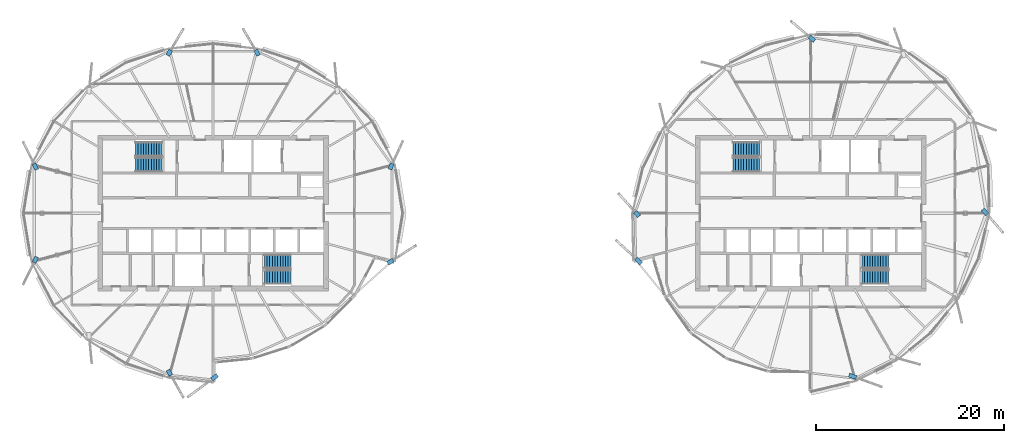
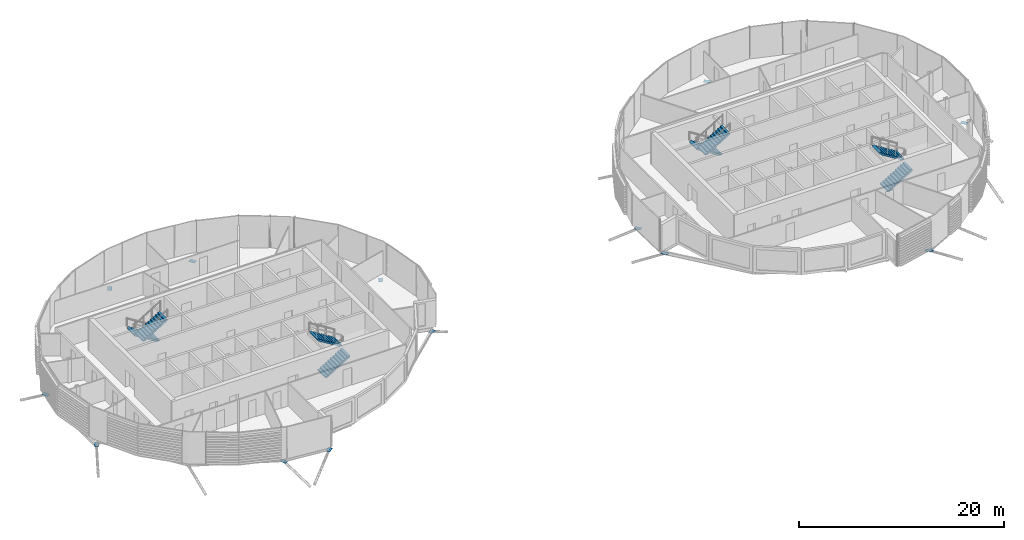
# One storey, part 22 of 34: 13 discrete accessories, 8 stair flights, 4 elements without a shape of their own.
"""IFC4 building model written with IfcOpenShell, lengths in metres."""

from ifc_helpers import new_model, si_unit, direction, frame, origin, origin_2d, place, context, subcontext, project, spatial, polyline, rectangle, outline, extrude, material, material_profile, profile_set, type_object, element, aggregate, save


model = new_model("IFC4")

# Units and contexts
model_context = context("Model", 3, precision=1e-05, world=origin(), true_north=direction((0.0, 1.0)))
body_context = subcontext(model_context, "Body", "Model", "MODEL_VIEW")
ifc_project = project(units=[si_unit("LENGTHUNIT", "METRE"), si_unit("AREAUNIT", "SQUARE_METRE"), si_unit("VOLUMEUNIT", "CUBIC_METRE"), si_unit("PLANEANGLEUNIT", "RADIAN"), si_unit("MASSUNIT", "GRAM", prefix="KILO")], contexts=[model_context])

# Site, building, storey
site_placement = place(None, origin())
site = spatial("IfcSite", under=ifc_project, at=site_placement, CompositionType="ELEMENT")
building_placement = place(site_placement, origin())
building = spatial("IfcBuilding", under=site, at=building_placement, Name="Rimbun Link Towers", CompositionType="ELEMENT")
storey_placement = place(building_placement, frame((0.0, 0.0, 252.300048828125)))
storey = spatial("IfcBuildingStorey", under=building, at=storey_placement, Name="L62", CompositionType="ELEMENT", Elevation=252.300048828125)

# Stair, stair flights
ifc_material_1 = material(Name="Concrete C40/50", Category="concrete")
stair_type = type_object("IfcStairType", Name="Exit stair 3800 rise", PredefinedType="HALF_TURN_STAIR", material=ifc_material_1)
stair_1_placement = place(storey_placement, origin())
stair_1 = element("IfcStair", 1, at=stair_1_placement, inside=storey, type_object=stair_type, Name="L62 EXIT STAIR A", PredefinedType="HALF_TURN_STAIR")
ifc_material_2 = material(Name="Concrete C40/50", Category="concrete")
stair_flight_type = type_object("IfcStairFlightType", Name="Exit stair flight 3800 rise", PredefinedType="STRAIGHT", material=ifc_material_2)
stair_flight_1_placement = place(storey_placement, frame((-37.199951171875, 6.800048828125, 0.0), z_axis=(0.0, 0.0, 1.0), x_axis=(-1.0, 0.0, 0.0)))
stair_flight_1 = element("IfcStairFlight", 2, at=stair_flight_1_placement, type_object=stair_flight_type, Name="ST1 flight 1", NumberOfRisers=11, NumberOfTreads=10, PredefinedType="STRAIGHT", RiserHeight=0.172727273, TreadLength=0.28, context=body_context, shape_type="SweptSolid", body=[
    extrude(outline(polyline([(0.0, 0.0), (0.0, 0.172607421875), (0.280029296875, 0.172607421875), (0.280029296875, 0.345458984375), (0.56005859375, 0.345458984375), (0.56005859375, 0.51806640625), (0.840087890625, 0.51806640625), (0.840087890625, 0.69091796875), (1.1201171875, 0.69091796875), (1.1201171875, 0.863525390625), (1.39990234375, 0.863525390625), (1.39990234375, 1.036376953125), (1.679931640625, 1.036376953125), (1.679931640625, 1.208984375), (1.9599609375, 1.208984375), (1.9599609375, 1.3818359375), (2.239990234375, 1.3818359375), (2.239990234375, 1.554443359375), (2.52001953125, 1.554443359375), (2.52001953125, 1.727294921875), (2.800048828125, 1.727294921875), (2.800048828125, 1.89990234375), (2.800048828125, 1.551025390625), (0.280029296875, 0.0), (0.0, 0.0)])), frame((0.0, 0.75, 0.0), z_axis=(0.0, -1.0, 0.0), x_axis=(1.0, 0.0, 0.0)), (0.0, 0.0, 1.0), 1.5),
])
stair_flight_2_placement = place(storey_placement, frame((-40.0, 5.14990234375, 1.89990234375), z_axis=(0.0, 0.0, 1.0), x_axis=(1.0, 0.0, 0.0)))
stair_flight_2 = element("IfcStairFlight", 3, at=stair_flight_2_placement, type_object=stair_flight_type, Name="ST1 flight 2", NumberOfRisers=11, NumberOfTreads=10, PredefinedType="STRAIGHT", RiserHeight=0.172727273, TreadLength=0.28, context=body_context, shape_type="SweptSolid", body=[
    extrude(outline(polyline([(0.0, 0.0), (0.0, 0.172607421875), (0.280029296875, 0.172607421875), (0.280029296875, 0.345458984375), (0.56005859375, 0.345458984375), (0.56005859375, 0.51806640625), (0.840087890625, 0.51806640625), (0.840087890625, 0.69091796875), (1.1201171875, 0.69091796875), (1.1201171875, 0.863525390625), (1.39990234375, 0.863525390625), (1.39990234375, 1.036376953125), (1.679931640625, 1.036376953125), (1.679931640625, 1.208984375), (1.9599609375, 1.208984375), (1.9599609375, 1.3818359375), (2.239990234375, 1.3818359375), (2.239990234375, 1.554443359375), (2.52001953125, 1.554443359375), (2.52001953125, 1.727294921875), (2.800048828125, 1.727294921875), (2.800048828125, 1.89990234375), (2.800048828125, 1.551025390625), (0.280029296875, 0.0), (0.0, 0.0)])), frame((0.0, 0.75, 0.0), z_axis=(0.0, -1.0, 0.0), x_axis=(1.0, 0.0, 0.0)), (0.0, 0.0, 1.0), 1.5),
])
aggregate(stair_1, [stair_flight_1, stair_flight_2])

stair_2_placement = place(storey_placement, origin())
stair_2 = element("IfcStair", 4, at=stair_2_placement, inside=storey, type_object=stair_type, Name="L62 EXIT STAIR B", PredefinedType="HALF_TURN_STAIR")
stair_flight_3_placement = place(storey_placement, frame((-26.300048828125, -6.800048828125, 0.0), z_axis=(0.0, 0.0, 1.0), x_axis=(1.0, 0.0, 0.0)))
stair_flight_3 = element("IfcStairFlight", 5, at=stair_flight_3_placement, type_object=stair_flight_type, Name="ST2 flight 1", NumberOfRisers=11, NumberOfTreads=10, PredefinedType="STRAIGHT", RiserHeight=0.172727273, TreadLength=0.28, context=body_context, shape_type="SweptSolid", body=[
    extrude(outline(polyline([(0.0, 0.0), (0.0, 0.172607421875), (0.280029296875, 0.172607421875), (0.280029296875, 0.345458984375), (0.56005859375, 0.345458984375), (0.56005859375, 0.51806640625), (0.840087890625, 0.51806640625), (0.840087890625, 0.69091796875), (1.1201171875, 0.69091796875), (1.1201171875, 0.863525390625), (1.39990234375, 0.863525390625), (1.39990234375, 1.036376953125), (1.679931640625, 1.036376953125), (1.679931640625, 1.208984375), (1.9599609375, 1.208984375), (1.9599609375, 1.3818359375), (2.239990234375, 1.3818359375), (2.239990234375, 1.554443359375), (2.52001953125, 1.554443359375), (2.52001953125, 1.727294921875), (2.800048828125, 1.727294921875), (2.800048828125, 1.89990234375), (2.800048828125, 1.551025390625), (0.280029296875, 0.0), (0.0, 0.0)])), frame((0.0, 0.75, 0.0), z_axis=(0.0, -1.0, 0.0), x_axis=(1.0, 0.0, 0.0)), (0.0, 0.0, 1.0), 1.5),
])
stair_flight_4_placement = place(storey_placement, frame((-23.5, -5.14990234375, 1.89990234375), z_axis=(0.0, 0.0, 1.0), x_axis=(-1.0, 0.0, 0.0)))
stair_flight_4 = element("IfcStairFlight", 6, at=stair_flight_4_placement, type_object=stair_flight_type, Name="ST2 flight 2", NumberOfRisers=11, NumberOfTreads=10, PredefinedType="STRAIGHT", RiserHeight=0.172727273, TreadLength=0.28, context=body_context, shape_type="SweptSolid", body=[
    extrude(outline(polyline([(0.0, 0.0), (0.0, 0.172607421875), (0.280029296875, 0.172607421875), (0.280029296875, 0.345458984375), (0.56005859375, 0.345458984375), (0.56005859375, 0.51806640625), (0.840087890625, 0.51806640625), (0.840087890625, 0.69091796875), (1.1201171875, 0.69091796875), (1.1201171875, 0.863525390625), (1.39990234375, 0.863525390625), (1.39990234375, 1.036376953125), (1.679931640625, 1.036376953125), (1.679931640625, 1.208984375), (1.9599609375, 1.208984375), (1.9599609375, 1.3818359375), (2.239990234375, 1.3818359375), (2.239990234375, 1.554443359375), (2.52001953125, 1.554443359375), (2.52001953125, 1.727294921875), (2.800048828125, 1.727294921875), (2.800048828125, 1.89990234375), (2.800048828125, 1.551025390625), (0.280029296875, 0.0), (0.0, 0.0)])), frame((0.0, 0.75, 0.0), z_axis=(0.0, -1.0, 0.0), x_axis=(1.0, 0.0, 0.0)), (0.0, 0.0, 1.0), 1.5),
])
aggregate(stair_2, [stair_flight_3, stair_flight_4])

stair_3_placement = place(storey_placement, origin())
stair_3 = element("IfcStair", 7, at=stair_3_placement, inside=storey, type_object=stair_type, Name="L62 EXIT STAIR A", PredefinedType="HALF_TURN_STAIR")
stair_flight_5_placement = place(storey_placement, frame((26.300048828125, 6.800048828125, 0.0), z_axis=(0.0, 0.0, 1.0), x_axis=(-1.0, 0.0, 0.0)))
stair_flight_5 = element("IfcStairFlight", 8, at=stair_flight_5_placement, type_object=stair_flight_type, Name="ST3 flight 1", NumberOfRisers=11, NumberOfTreads=10, PredefinedType="STRAIGHT", RiserHeight=0.172727273, TreadLength=0.28, context=body_context, shape_type="SweptSolid", body=[
    extrude(outline(polyline([(0.0, 0.0), (0.0, 0.172607421875), (0.280029296875, 0.172607421875), (0.280029296875, 0.345458984375), (0.56005859375, 0.345458984375), (0.56005859375, 0.51806640625), (0.840087890625, 0.51806640625), (0.840087890625, 0.69091796875), (1.1201171875, 0.69091796875), (1.1201171875, 0.863525390625), (1.39990234375, 0.863525390625), (1.39990234375, 1.036376953125), (1.679931640625, 1.036376953125), (1.679931640625, 1.208984375), (1.9599609375, 1.208984375), (1.9599609375, 1.3818359375), (2.239990234375, 1.3818359375), (2.239990234375, 1.554443359375), (2.52001953125, 1.554443359375), (2.52001953125, 1.727294921875), (2.800048828125, 1.727294921875), (2.800048828125, 1.89990234375), (2.800048828125, 1.551025390625), (0.280029296875, 0.0), (0.0, 0.0)])), frame((0.0, 0.75, 0.0), z_axis=(0.0, -1.0, 0.0), x_axis=(1.0, 0.0, 0.0)), (0.0, 0.0, 1.0), 1.5),
])
stair_flight_6_placement = place(storey_placement, frame((23.5, 5.14990234375, 1.89990234375), z_axis=(0.0, 0.0, 1.0), x_axis=(1.0, 0.0, 0.0)))
stair_flight_6 = element("IfcStairFlight", 9, at=stair_flight_6_placement, type_object=stair_flight_type, Name="ST3 flight 2", NumberOfRisers=11, NumberOfTreads=10, PredefinedType="STRAIGHT", RiserHeight=0.172727273, TreadLength=0.28, context=body_context, shape_type="SweptSolid", body=[
    extrude(outline(polyline([(0.0, 0.0), (0.0, 0.172607421875), (0.280029296875, 0.172607421875), (0.280029296875, 0.345458984375), (0.56005859375, 0.345458984375), (0.56005859375, 0.51806640625), (0.840087890625, 0.51806640625), (0.840087890625, 0.69091796875), (1.1201171875, 0.69091796875), (1.1201171875, 0.863525390625), (1.39990234375, 0.863525390625), (1.39990234375, 1.036376953125), (1.679931640625, 1.036376953125), (1.679931640625, 1.208984375), (1.9599609375, 1.208984375), (1.9599609375, 1.3818359375), (2.239990234375, 1.3818359375), (2.239990234375, 1.554443359375), (2.52001953125, 1.554443359375), (2.52001953125, 1.727294921875), (2.800048828125, 1.727294921875), (2.800048828125, 1.89990234375), (2.800048828125, 1.551025390625), (0.280029296875, 0.0), (0.0, 0.0)])), frame((0.0, 0.75, 0.0), z_axis=(0.0, -1.0, 0.0), x_axis=(1.0, 0.0, 0.0)), (0.0, 0.0, 1.0), 1.5),
])
aggregate(stair_3, [stair_flight_5, stair_flight_6])

stair_4_placement = place(storey_placement, origin())
stair_4 = element("IfcStair", 10, at=stair_4_placement, inside=storey, type_object=stair_type, Name="L62 EXIT STAIR B", PredefinedType="HALF_TURN_STAIR")
stair_flight_7_placement = place(storey_placement, frame((37.199951171875, -6.800048828125, 0.0), z_axis=(0.0, 0.0, 1.0), x_axis=(1.0, 0.0, 0.0)))
stair_flight_7 = element("IfcStairFlight", 11, at=stair_flight_7_placement, type_object=stair_flight_type, Name="ST4 flight 1", NumberOfRisers=11, NumberOfTreads=10, PredefinedType="STRAIGHT", RiserHeight=0.172727273, TreadLength=0.28, context=body_context, shape_type="SweptSolid", body=[
    extrude(outline(polyline([(0.0, 0.0), (0.0, 0.172607421875), (0.280029296875, 0.172607421875), (0.280029296875, 0.345458984375), (0.56005859375, 0.345458984375), (0.56005859375, 0.51806640625), (0.840087890625, 0.51806640625), (0.840087890625, 0.69091796875), (1.1201171875, 0.69091796875), (1.1201171875, 0.863525390625), (1.39990234375, 0.863525390625), (1.39990234375, 1.036376953125), (1.679931640625, 1.036376953125), (1.679931640625, 1.208984375), (1.9599609375, 1.208984375), (1.9599609375, 1.3818359375), (2.239990234375, 1.3818359375), (2.239990234375, 1.554443359375), (2.52001953125, 1.554443359375), (2.52001953125, 1.727294921875), (2.800048828125, 1.727294921875), (2.800048828125, 1.89990234375), (2.800048828125, 1.551025390625), (0.280029296875, 0.0), (0.0, 0.0)])), frame((0.0, 0.75, 0.0), z_axis=(0.0, -1.0, 0.0), x_axis=(1.0, 0.0, 0.0)), (0.0, 0.0, 1.0), 1.5),
])
stair_flight_8_placement = place(storey_placement, frame((40.0, -5.14990234375, 1.89990234375), z_axis=(0.0, 0.0, 1.0), x_axis=(-1.0, 0.0, 0.0)))
stair_flight_8 = element("IfcStairFlight", 12, at=stair_flight_8_placement, type_object=stair_flight_type, Name="ST4 flight 2", NumberOfRisers=11, NumberOfTreads=10, PredefinedType="STRAIGHT", RiserHeight=0.172727273, TreadLength=0.28, context=body_context, shape_type="SweptSolid", body=[
    extrude(outline(polyline([(0.0, 0.0), (0.0, 0.172607421875), (0.280029296875, 0.172607421875), (0.280029296875, 0.345458984375), (0.56005859375, 0.345458984375), (0.56005859375, 0.51806640625), (0.840087890625, 0.51806640625), (0.840087890625, 0.69091796875), (1.1201171875, 0.69091796875), (1.1201171875, 0.863525390625), (1.39990234375, 0.863525390625), (1.39990234375, 1.036376953125), (1.679931640625, 1.036376953125), (1.679931640625, 1.208984375), (1.9599609375, 1.208984375), (1.9599609375, 1.3818359375), (2.239990234375, 1.3818359375), (2.239990234375, 1.554443359375), (2.52001953125, 1.554443359375), (2.52001953125, 1.727294921875), (2.800048828125, 1.727294921875), (2.800048828125, 1.89990234375), (2.800048828125, 1.551025390625), (0.280029296875, 0.0), (0.0, 0.0)])), frame((0.0, 0.75, 0.0), z_axis=(0.0, -1.0, 0.0), x_axis=(1.0, 0.0, 0.0)), (0.0, 0.0, 1.0), 1.5),
])
aggregate(stair_4, [stair_flight_7, stair_flight_8])

# Discrete accessories
ifc_material_3 = material(Name="Steel S355J2H", Category="steel")
ifc_material_profile = material_profile(ifc_material_3, rectangle(XDim=0.43310546875, YDim=0.43310546875, at=origin_2d()), Name="PL 433x433")
ifc_profile_set = profile_set([ifc_material_profile], Name="Steel S355J2H")
discrete_accessory_type = type_object("IfcDiscreteAccessoryType", Name="Link head end plate 433X20", PredefinedType="BRACKET", material=ifc_profile_set)
discrete_accessory_1_placement = place(storey_placement, frame((0.0, 0.0, -0.56640625)))
element("IfcDiscreteAccessory", 13, at=discrete_accessory_1_placement, inside=storey, type_object=discrete_accessory_type, Name="Link head end plate T1 L62 01", PredefinedType="BRACKET", context=body_context, shape_type="SweptSolid", body=[
    extrude(outline(polyline([(-12.781982421875, 4.5712890625), (-12.51220703125, 5.159912109375), (-12.90576171875, 5.340576171875), (-13.17578125, 4.751708984375), (-12.781982421875, 4.5712890625)])), origin(), (0.0, 0.0, 1.0), 0.02001953125),
])
discrete_accessory_2_placement = place(storey_placement, frame((0.0, 0.0, -0.693115234375)))
element("IfcDiscreteAccessory", 14, at=discrete_accessory_2_placement, inside=storey, type_object=discrete_accessory_type, Name="Link head end plate T1 L62 05", PredefinedType="BRACKET", context=body_context, shape_type="SweptSolid", body=[
    extrude(outline(polyline([(-26.72509765625, 16.8740234375), (-27.057861328125, 17.4375), (-27.4306640625, 17.21728515625), (-27.097900390625, 16.65380859375), (-26.72509765625, 16.8740234375)])), origin(), (0.0, 0.0, 1.0), 0.02001953125),
])
discrete_accessory_3_placement = place(storey_placement, frame((0.0, 0.0, -0.693115234375)))
element("IfcDiscreteAccessory", 15, at=discrete_accessory_3_placement, inside=storey, type_object=discrete_accessory_type, Name="Link head end plate T1 L62 07", PredefinedType="BRACKET", context=body_context, shape_type="SweptSolid", body=[
    extrude(outline(polyline([(-36.402099609375, 16.65380859375), (-36.0693359375, 17.21728515625), (-36.442138671875, 17.4375), (-36.77490234375, 16.8740234375), (-36.402099609375, 16.65380859375)])), origin(), (0.0, 0.0, 1.0), 0.02001953125),
])
discrete_accessory_4_placement = place(storey_placement, frame((0.0, 0.0, -1.000732421875)))
element("IfcDiscreteAccessory", 16, at=discrete_accessory_4_placement, inside=storey, type_object=discrete_accessory_type, Name="Link head end plate T1 L62 11", PredefinedType="BRACKET", context=body_context, shape_type="SweptSolid", body=[
    extrude(outline(polyline([(-50.2998046875, 4.732666015625), (-50.60107421875, 5.34228515625), (-50.9892578125, 5.150390625), (-50.68798828125, 4.540771484375), (-50.2998046875, 4.732666015625)])), origin(), (0.0, 0.0, 1.0), 0.02001953125),
])
discrete_accessory_5_placement = place(storey_placement, frame((0.0, 0.0, -1.000732421875)))
element("IfcDiscreteAccessory", 17, at=discrete_accessory_5_placement, inside=storey, type_object=discrete_accessory_type, Name="Link head end plate T1 L62 13", PredefinedType="BRACKET", context=body_context, shape_type="SweptSolid", body=[
    extrude(outline(polyline([(-50.68798828125, -4.540771484375), (-50.9892578125, -5.150390625), (-50.60107421875, -5.34228515625), (-50.2998046875, -4.732666015625), (-50.68798828125, -4.540771484375)])), origin(), (0.0, 0.0, 1.0), 0.02001953125),
])
discrete_accessory_6_placement = place(storey_placement, frame((0.0, 0.0, -0.693115234375)))
element("IfcDiscreteAccessory", 18, at=discrete_accessory_6_placement, inside=storey, type_object=discrete_accessory_type, Name="Link head end plate T1 L62 17", PredefinedType="BRACKET", context=body_context, shape_type="SweptSolid", body=[
    extrude(outline(polyline([(-36.7490234375, -16.7705078125), (-36.424560546875, -17.347412109375), (-36.047119140625, -17.135009765625), (-36.371826171875, -16.55810546875), (-36.7490234375, -16.7705078125)])), origin(), (0.0, 0.0, 1.0), 0.02001953125),
])
discrete_accessory_7_placement = place(storey_placement, frame((0.0, 0.0, -0.693115234375)))
element("IfcDiscreteAccessory", 19, at=discrete_accessory_7_placement, inside=storey, type_object=discrete_accessory_type, Name="Link head end plate T1 L62 18", PredefinedType="BRACKET", context=body_context, shape_type="SweptSolid", body=[
    extrude(outline(polyline([(-31.42626953125, -17.05615234375), (-32.02392578125, -17.49365234375), (-31.76806640625, -17.843017578125), (-31.17041015625, -17.405517578125), (-31.42626953125, -17.05615234375)])), origin(), (0.0, 0.0, 1.0), 0.02001953125),
])
discrete_accessory_8_placement = place(storey_placement, frame((0.0, 0.0, -0.56640625)))
element("IfcDiscreteAccessory", 20, at=discrete_accessory_8_placement, inside=storey, type_object=discrete_accessory_type, Name="Link head end plate T1 L62 23", PredefinedType="BRACKET", context=body_context, shape_type="SweptSolid", body=[
    extrude(outline(polyline([(-13.078857421875, -5.527099609375), (-12.514404296875, -5.16357421875), (-12.74853515625, -4.799560546875), (-13.313232421875, -5.1630859375), (-13.078857421875, -5.527099609375)])), origin(), (0.0, 0.0, 1.0), 0.02001953125),
])
discrete_accessory_9_placement = place(storey_placement, frame((0.0, 0.0, -0.7626953125)))
element("IfcDiscreteAccessory", 21, at=discrete_accessory_9_placement, inside=storey, type_object=discrete_accessory_type, Name="Link head end plate T2 L62 03", PredefinedType="BRACKET", context=body_context, shape_type="SweptSolid", body=[
    extrude(outline(polyline([(32.2822265625, 18.46630859375), (31.74951171875, 18.915771484375), (31.47021484375, 18.5849609375), (32.0029296875, 18.135498046875), (32.2822265625, 18.46630859375)])), origin(), (0.0, 0.0, 1.0), 0.02001953125),
])
discrete_accessory_10_placement = place(storey_placement, frame((0.0, 0.0, -0.51513671875)))
element("IfcDiscreteAccessory", 22, at=discrete_accessory_10_placement, inside=storey, type_object=discrete_accessory_type, Name="Link head end plate T2 L62 09", PredefinedType="BRACKET", context=body_context, shape_type="SweptSolid", body=[
    extrude(outline(polyline([(13.672607421875, -0.1923828125), (13.243896484375, 0.283447265625), (12.922119140625, -0.00634765625), (13.350830078125, -0.482177734375), (13.672607421875, -0.1923828125)])), origin(), (0.0, 0.0, 1.0), 0.02001953125),
])
discrete_accessory_11_placement = place(storey_placement, frame((0.0, 0.0, -0.51513671875)))
element("IfcDiscreteAccessory", 23, at=discrete_accessory_11_placement, inside=storey, type_object=discrete_accessory_type, Name="Link head end plate T2 L62 10", PredefinedType="BRACKET", context=body_context, shape_type="SweptSolid", body=[
    extrude(outline(polyline([(13.893798828125, -5.191162109375), (13.3173828125, -4.661376953125), (13.0244140625, -4.97998046875), (13.6005859375, -5.510009765625), (13.893798828125, -5.191162109375)])), origin(), (0.0, 0.0, 1.0), 0.02001953125),
])
discrete_accessory_12_placement = place(storey_placement, frame((0.0, 0.0, -0.693115234375)))
element("IfcDiscreteAccessory", 24, at=discrete_accessory_12_placement, inside=storey, type_object=discrete_accessory_type, Name="Link head end plate T2 L62 16", PredefinedType="BRACKET", context=body_context, shape_type="SweptSolid", body=[
    extrude(outline(polyline([(35.74853515625, -17.404541015625), (36.51220703125, -17.6796875), (36.658935546875, -17.272216796875), (35.895263671875, -16.997314453125), (35.74853515625, -17.404541015625)])), origin(), (0.0, 0.0, 1.0), 0.02001953125),
])
discrete_accessory_13_placement = place(storey_placement, frame((0.0, 0.0, -1.000732421875)))
element("IfcDiscreteAccessory", 25, at=discrete_accessory_13_placement, inside=storey, type_object=discrete_accessory_type, Name="Link head end plate T2 L62 21", PredefinedType="BRACKET", context=body_context, shape_type="SweptSolid", body=[
    extrude(outline(polyline([(49.86474609375, 0.264404296875), (50.338623046875, -0.27978515625), (50.665283203125, 0.004638671875), (50.191162109375, 0.548828125), (49.86474609375, 0.264404296875)])), origin(), (0.0, 0.0, 1.0), 0.02001953125),
])

save(model, "model.ifc")
